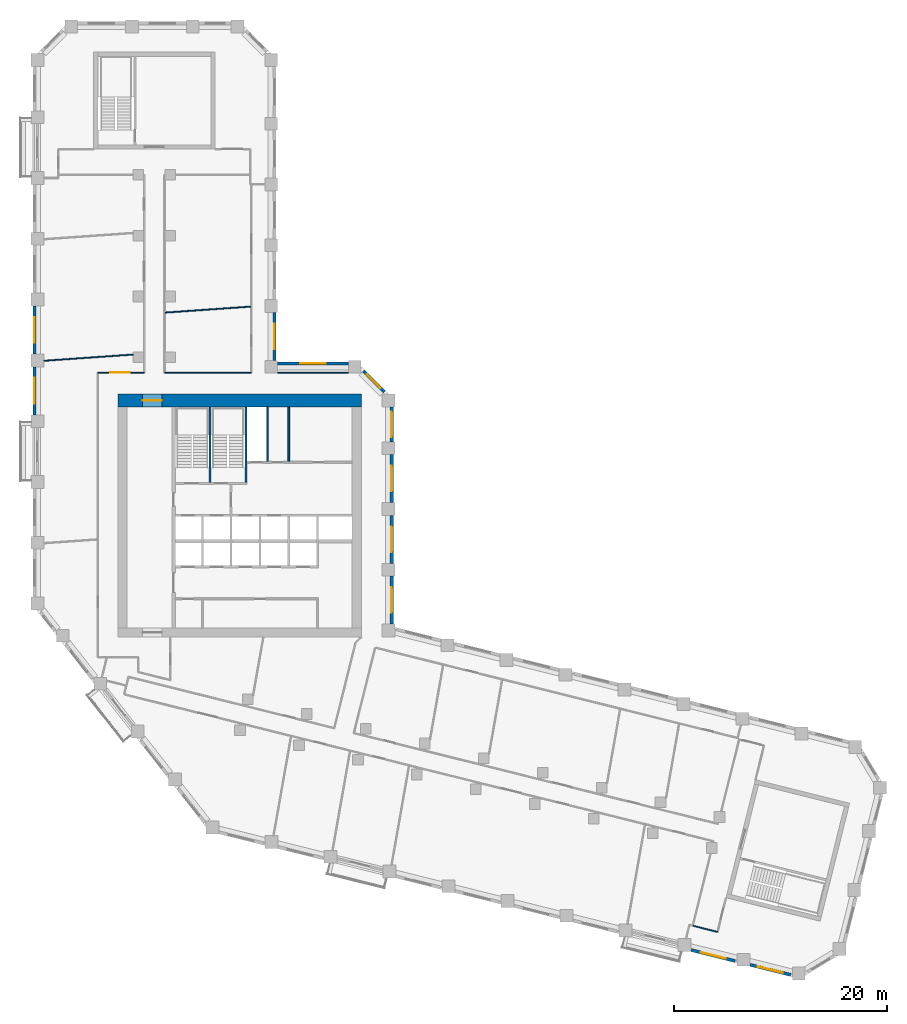
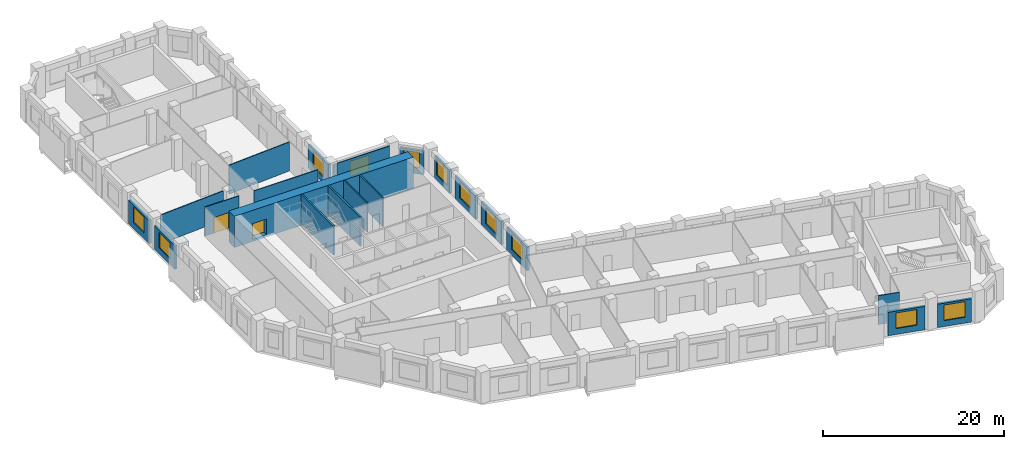
# One storey, part 6 of 10: 22 walls, 11 windows, 2 doors, 13 openings.
"""IFC4 building model written with IfcOpenShell, lengths in metres."""

from ifc_helpers import new_model, si_unit, direction, frame, frame_2d, origin, place, context, subcontext, project, spatial, rectangle, extrude, material, layer, layer_set, type_object, element, fill, save


model = new_model("IFC4")

# Units and contexts
model_context = context("Model", 3, precision=1e-05, world=origin(), true_north=direction((0.0, 1.0)))
body_context = subcontext(model_context, "Body", "Model", "MODEL_VIEW")
ifc_project = project(units=[si_unit("LENGTHUNIT", "METRE"), si_unit("AREAUNIT", "SQUARE_METRE"), si_unit("VOLUMEUNIT", "CUBIC_METRE"), si_unit("PLANEANGLEUNIT", "RADIAN"), si_unit("MASSUNIT", "GRAM", prefix="KILO")], contexts=[model_context])

# Site, building, storey
site_placement = place(None, origin())
site = spatial("IfcSite", under=ifc_project, at=site_placement, CompositionType="ELEMENT")
building_placement = place(site_placement, origin())
building = spatial("IfcBuilding", under=site, at=building_placement, Name="Meshkara Civic Tower", CompositionType="ELEMENT")
storey_placement = place(building_placement, frame((0.0, 0.0, 203.39990234375)))
storey = spatial("IfcBuildingStorey", under=building, at=storey_placement, Name="L46", CompositionType="ELEMENT", Elevation=203.39990234375)

# Walls
ifc_material_1 = material(Name="Blockwork", Category="masonry")
ifc_layer_1 = layer(ifc_material_1, 0.14990234375)
ifc_layer_set_1 = layer_set([ifc_layer_1], Name="Core partition 150")
wall_type_1 = type_object("IfcWallType", Name="Core partition 150", PredefinedType="PARTITIONING", material=ifc_layer_set_1)
for number, where, z_axis, x_axis, name in (
    (1, (22.0, 30.574951171875, 0.0), (0.0, 0.0, 1.0), (0.0, 1.0, 0.0), "L46-C018"),
    (2, (24.0, 30.574951171875, 0.0), (0.0, 0.0, 1.0), (0.0, 1.0, 0.0), "L46-C020"),
):
    element("IfcWall", number, at=place(storey_placement, frame(where, z_axis=z_axis, x_axis=x_axis)), inside=storey, type_object=wall_type_1, Name=name, PredefinedType="PARTITIONING", context=body_context, shape_type="SweptSolid", body=[
        extrude(rectangle(XDim=5.125, YDim=0.14990234375, at=frame_2d((2.5625, 0.0))), origin(), (0.0, 0.0, 1.0), 3.900146484375),
    ])

# Wall, opening, door
ifc_material_2 = material(Name="Concrete C70", Category="concrete")
ifc_layer_2 = layer(ifc_material_2, 1.199951171875)
ifc_layer_set_2 = layer_set([ifc_layer_2], Name="Core ring wall 1200 C70")
wall_type_2 = type_object("IfcWallType", Name="Core ring wall 1200 C70", PredefinedType="SHEAR", material=ifc_layer_set_2)
wall_1_placement = place(storey_placement, frame((8.0, 36.300048828125, -0.2998046875), z_axis=(0.0, 0.0, 1.0), x_axis=(1.0, 0.0, 0.0)))
wall_1 = element("IfcWall", 3, at=wall_1_placement, inside=storey, type_object=wall_type_2, Name="L46-C002", PredefinedType="SHEAR", context=body_context, shape_type="SweptSolid", body=[
    extrude(rectangle(XDim=22.800048828125, YDim=1.199951171875, at=frame_2d((11.39990234375, 0.0))), origin(), (0.0, 0.0, 1.0), 4.199951171875),
])
opening_1_placement = place(wall_1_placement, frame((2.300048828125, 0.0, 0.300048828125)))
opening_1 = element("IfcOpeningElement", 4, at=opening_1_placement, cuts=wall_1, Name="Opening L46-K020", PredefinedType="OPENING", context=body_context, shape_type="SweptSolid", body=[
    extrude(rectangle(XDim=1.800048828125, YDim=2.10009765625, at=frame_2d((0.89990234375, 1.050048828125))), frame((0.0, 0.60986328125, 0.0), z_axis=(0.0, -1.0, 0.0), x_axis=(1.0, 0.0, 0.0)), (0.0, 0.0, 1.0), 1.219970703125),
])
ifc_material_3 = material(Name="Fire-rated door leaf in steel frame", Category="steel")
door_type_1 = type_object("IfcDoorType", Name="Core double door 1800 EI 60", OperationType="DOUBLE_DOOR_SINGLE_SWING", PredefinedType="DOOR", material=ifc_material_3)
door_1_placement = place(opening_1_placement, origin())
door_1 = element("IfcDoor", 5, at=door_1_placement, inside=storey, type_object=door_type_1, Name="L46-K020", OperationType="DOUBLE_DOOR_SINGLE_SWING", OverallHeight=2.10009765625, OverallWidth=1.800048828125, PredefinedType="DOOR", context=body_context, shape_type="SweptSolid", body=[
    extrude(rectangle(XDim=1.800048828125, YDim=2.10009765625, at=frame_2d((0.89990234375, 1.050048828125))), frame((0.0, 0.02490234375, 0.0), z_axis=(0.0, -1.0, 0.0), x_axis=(1.0, 0.0, 0.0)), (0.0, 0.0, 1.0), 0.050048828125),
])
fill(opening_1, door_1)

ifc_material_4 = material(Name="Corridor wall 100")
ifc_layer_3 = layer(ifc_material_4, 0.10009765625)
ifc_layer_set_3 = layer_set([ifc_layer_3], Name="Corridor wall 100")
wall_type_3 = type_object("IfcWallType", Name="Corridor wall 100", PredefinedType="PARTITIONING", material=ifc_layer_set_3)
wall_2_placement = place(storey_placement, frame((10.449951171875, 38.89990234375, 0.0), z_axis=(0.0, 0.0, 1.0), x_axis=(-1.0, 0.0, 0.0)))
wall_2 = element("IfcWall", 6, at=wall_2_placement, inside=storey, type_object=wall_type_3, Name="L46-W011", PredefinedType="PARTITIONING", context=body_context, shape_type="SweptSolid", body=[
    extrude(rectangle(XDim=4.349853515625, YDim=0.10009765625, at=frame_2d((2.1748046875, 0.0))), origin(), (0.0, 0.0, 1.0), 3.900146484375),
])
opening_2_placement = place(wall_2_placement, frame((1.3798828125, 0.0, 0.0)))
opening_2 = element("IfcOpeningElement", 7, at=opening_2_placement, cuts=wall_2, Name="Opening L46-D017", PredefinedType="OPENING", context=body_context, shape_type="SweptSolid", body=[
    extrude(rectangle(XDim=1.800048828125, YDim=2.10009765625, at=frame_2d((0.89990234375, 1.050048828125))), frame((0.0, 0.06005859375, 0.0), z_axis=(0.0, -1.0, 0.0), x_axis=(1.0, 0.0, 0.0)), (0.0, 0.0, 1.0), 0.1201171875),
])
ifc_material_5 = material(Name="Door pair 1800 x 2100")
door_type_2 = type_object("IfcDoorType", Name="Door pair 1800 x 2100", OperationType="SINGLE_SWING_LEFT", PredefinedType="DOOR", material=ifc_material_5)
door_2_placement = place(opening_2_placement, origin())
door_2 = element("IfcDoor", 8, at=door_2_placement, inside=storey, type_object=door_type_2, Name="L46-D017", OperationType="DOUBLE_DOOR_SINGLE_SWING", OverallHeight=2.10009765625, OverallWidth=1.800048828125, PredefinedType="DOOR", context=body_context, shape_type="SweptSolid", body=[
    extrude(rectangle(XDim=1.800048828125, YDim=2.10009765625, at=frame_2d((0.89990234375, 1.050048828125))), frame((0.0, 0.02490234375, 0.0), z_axis=(0.0, -1.0, 0.0), x_axis=(1.0, 0.0, 0.0)), (0.0, 0.0, 1.0), 0.050048828125),
])
fill(opening_2, door_2)

# Walls
wall_3_placement = place(storey_placement, frame((20.5, 38.89990234375, 0.0), z_axis=(0.0, 0.0, 1.0), x_axis=(-1.0, 0.0, 0.0)))
element("IfcWall", 9, at=wall_3_placement, inside=storey, type_object=wall_type_3, Name="L46-W019", PredefinedType="PARTITIONING", context=body_context, shape_type="SweptSolid", body=[
    extrude(rectangle(XDim=8.14990234375, YDim=0.10009765625, at=frame_2d((4.074951171875, 0.0))), origin(), (0.0, 0.0, 1.0), 3.900146484375),
])
wall_4_placement = place(storey_placement, frame((29.593994140625, 38.89990234375, 0.0), z_axis=(0.0, 0.0, 1.0), x_axis=(-1.0, 0.0, 0.0)))
element("IfcWall", 10, at=wall_4_placement, inside=storey, type_object=wall_type_3, Name="L46-W021", PredefinedType="PARTITIONING", context=body_context, shape_type="SweptSolid", body=[
    extrude(rectangle(XDim=6.64404296875, YDim=0.10009765625, at=frame_2d((3.322021484375, 0.0))), origin(), (0.0, 0.0, 1.0), 3.900146484375),
])
wall_5_placement = place(storey_placement, frame((61.8740234375, -12.952880859375, 0.0), z_axis=(0.0, 0.0, 1.0), x_axis=(0.970256074659, -0.242080874063, 0.0)))
element("IfcWall", 11, at=wall_5_placement, inside=storey, type_object=wall_type_3, Name="L46-W027", PredefinedType="PARTITIONING", context=body_context, shape_type="SweptSolid", body=[
    extrude(rectangle(XDim=2.400146484375, YDim=0.10009765625, at=frame_2d((1.2001953125, 0.0))), origin(), (0.0, 0.0, 1.0), 3.900146484375),
])

# Wall, opening, window
ifc_material_6 = material(Name="Insulated infill panel with bronze anodised aluminium cladding", Category="aluminium")
ifc_layer_4 = layer(ifc_material_6, 0.300048828125)
ifc_layer_set_4 = layer_set([ifc_layer_4], Name="EXTERNAL INFILL WALL 300")
wall_type_4 = type_object("IfcWallType", Name="EXTERNAL INFILL WALL 300", PredefinedType="SOLIDWALL", material=ifc_layer_set_4)
wall_6_placement = place(storey_placement, frame((33.64990234375, 15.319091796875, 0.0), z_axis=(0.0, 0.0, 1.0), x_axis=(0.0, 1.0, 0.0)))
wall_6 = element("IfcWall", 12, at=wall_6_placement, inside=storey, type_object=wall_type_4, Name="External wall", PredefinedType="SOLIDWALL", context=body_context, shape_type="SweptSolid", body=[
    extrude(rectangle(XDim=4.5, YDim=0.300048828125, at=frame_2d((2.25, 0.0))), origin(), (0.0, 0.0, 1.0), 3.150146484375),
])
opening_3_placement = place(wall_6_placement, frame((1.050048828125, 0.0, 0.800048828125)))
opening_3 = element("IfcOpeningElement", 13, at=opening_3_placement, cuts=wall_6, Name="Opening W7", PredefinedType="OPENING", context=body_context, shape_type="SweptSolid", body=[
    extrude(rectangle(XDim=2.39990234375, YDim=2.10009765625, at=frame_2d((1.199951171875, 1.050048828125))), frame((0.0, 0.159912109375, 0.0), z_axis=(0.0, -1.0, 0.0), x_axis=(1.0, 0.0, 0.0)), (0.0, 0.0, 1.0), 0.320068359375),
])
ifc_material_7 = material(Name="Tinted double glazing", Category="glass")
window_type_1 = type_object("IfcWindowType", Name="WINDOW 2400x2100", PartitioningType="DOUBLE_PANEL_VERTICAL", PredefinedType="WINDOW", material=ifc_material_7)
window_1_placement = place(opening_3_placement, origin())
window_1 = element("IfcWindow", 14, at=window_1_placement, inside=storey, type_object=window_type_1, Name="Window", OverallHeight=2.10009765625, OverallWidth=2.39990234375, PartitioningType="DOUBLE_PANEL_VERTICAL", PredefinedType="WINDOW", context=body_context, shape_type="SweptSolid", body=[
    extrude(rectangle(XDim=2.39990234375, YDim=2.10009765625, at=frame_2d((1.199951171875, 1.050048828125))), frame((0.0, 0.030029296875, 0.0), z_axis=(0.0, -1.0, 0.0), x_axis=(1.0, 0.0, 0.0)), (0.0, 0.0, 1.0), 0.06005859375),
])
fill(opening_3, window_1)

wall_7_placement = place(storey_placement, frame((33.64990234375, 21.01904296875, 0.0), z_axis=(0.0, 0.0, 1.0), x_axis=(0.0, 1.0, 0.0)))
wall_7 = element("IfcWall", 15, at=wall_7_placement, inside=storey, type_object=wall_type_4, Name="External wall", PredefinedType="SOLIDWALL", context=body_context, shape_type="SweptSolid", body=[
    extrude(rectangle(XDim=4.5, YDim=0.300048828125, at=frame_2d((2.25, 0.0))), origin(), (0.0, 0.0, 1.0), 3.150146484375),
])
opening_4_placement = place(wall_7_placement, frame((1.050048828125, 0.0, 0.800048828125)))
opening_4 = element("IfcOpeningElement", 16, at=opening_4_placement, cuts=wall_7, Name="Opening W7", PredefinedType="OPENING", context=body_context, shape_type="SweptSolid", body=[
    extrude(rectangle(XDim=2.39990234375, YDim=2.10009765625, at=frame_2d((1.199951171875, 1.050048828125))), frame((0.0, 0.159912109375, 0.0), z_axis=(0.0, -1.0, 0.0), x_axis=(1.0, 0.0, 0.0)), (0.0, 0.0, 1.0), 0.320068359375),
])
window_2_placement = place(opening_4_placement, origin())
window_2 = element("IfcWindow", 17, at=window_2_placement, inside=storey, type_object=window_type_1, Name="Window", OverallHeight=2.10009765625, OverallWidth=2.39990234375, PartitioningType="DOUBLE_PANEL_VERTICAL", PredefinedType="WINDOW", context=body_context, shape_type="SweptSolid", body=[
    extrude(rectangle(XDim=2.39990234375, YDim=2.10009765625, at=frame_2d((1.199951171875, 1.050048828125))), frame((0.0, 0.030029296875, 0.0), z_axis=(0.0, -1.0, 0.0), x_axis=(1.0, 0.0, 0.0)), (0.0, 0.0, 1.0), 0.06005859375),
])
fill(opening_4, window_2)

wall_8_placement = place(storey_placement, frame((33.64990234375, 26.718994140625, 0.0), z_axis=(0.0, 0.0, 1.0), x_axis=(0.0, 1.0, 0.0)))
wall_8 = element("IfcWall", 18, at=wall_8_placement, inside=storey, type_object=wall_type_4, Name="External wall", PredefinedType="SOLIDWALL", context=body_context, shape_type="SweptSolid", body=[
    extrude(rectangle(XDim=4.5, YDim=0.300048828125, at=frame_2d((2.25, 0.0))), origin(), (0.0, 0.0, 1.0), 3.150146484375),
])
opening_5_placement = place(wall_8_placement, frame((1.050048828125, 0.0, 0.800048828125)))
opening_5 = element("IfcOpeningElement", 19, at=opening_5_placement, cuts=wall_8, Name="Opening W7", PredefinedType="OPENING", context=body_context, shape_type="SweptSolid", body=[
    extrude(rectangle(XDim=2.39990234375, YDim=2.10009765625, at=frame_2d((1.199951171875, 1.050048828125))), frame((0.0, 0.159912109375, 0.0), z_axis=(0.0, -1.0, 0.0), x_axis=(1.0, 0.0, 0.0)), (0.0, 0.0, 1.0), 0.320068359375),
])
window_3_placement = place(opening_5_placement, origin())
window_3 = element("IfcWindow", 20, at=window_3_placement, inside=storey, type_object=window_type_1, Name="Window", OverallHeight=2.10009765625, OverallWidth=2.39990234375, PartitioningType="DOUBLE_PANEL_VERTICAL", PredefinedType="WINDOW", context=body_context, shape_type="SweptSolid", body=[
    extrude(rectangle(XDim=2.39990234375, YDim=2.10009765625, at=frame_2d((1.199951171875, 1.050048828125))), frame((0.0, 0.030029296875, 0.0), z_axis=(0.0, -1.0, 0.0), x_axis=(1.0, 0.0, 0.0)), (0.0, 0.0, 1.0), 0.06005859375),
])
fill(opening_5, window_3)

wall_9_placement = place(storey_placement, frame((33.64990234375, 32.4189453125, 0.0), z_axis=(0.0, 0.0, 1.0), x_axis=(0.0, 1.0, 0.0)))
wall_9 = element("IfcWall", 21, at=wall_9_placement, inside=storey, type_object=wall_type_4, Name="External wall", PredefinedType="SOLIDWALL", context=body_context, shape_type="SweptSolid", body=[
    extrude(rectangle(XDim=3.275146484375, YDim=0.300048828125, at=frame_2d((1.6376953125, 0.0))), origin(), (0.0, 0.0, 1.0), 3.150146484375),
])
opening_6_placement = place(wall_9_placement, frame((0.43798828125, 0.0, 0.800048828125)))
opening_6 = element("IfcOpeningElement", 22, at=opening_6_placement, cuts=wall_9, Name="Opening W7", PredefinedType="OPENING", context=body_context, shape_type="SweptSolid", body=[
    extrude(rectangle(XDim=2.39990234375, YDim=2.10009765625, at=frame_2d((1.199951171875, 1.050048828125))), frame((0.0, 0.159912109375, 0.0), z_axis=(0.0, -1.0, 0.0), x_axis=(1.0, 0.0, 0.0)), (0.0, 0.0, 1.0), 0.320068359375),
])
window_4_placement = place(opening_6_placement, origin())
window_4 = element("IfcWindow", 23, at=window_4_placement, inside=storey, type_object=window_type_1, Name="Window", OverallHeight=2.10009765625, OverallWidth=2.39990234375, PartitioningType="DOUBLE_PANEL_VERTICAL", PredefinedType="WINDOW", context=body_context, shape_type="SweptSolid", body=[
    extrude(rectangle(XDim=2.39990234375, YDim=2.10009765625, at=frame_2d((1.199951171875, 1.050048828125))), frame((0.0, 0.030029296875, 0.0), z_axis=(0.0, -1.0, 0.0), x_axis=(1.0, 0.0, 0.0)), (0.0, 0.0, 1.0), 0.06005859375),
])
fill(opening_6, window_4)

wall_10_placement = place(storey_placement, frame((32.9619140625, 37.10595703125, 0.0), z_axis=(0.0, 0.0, 1.0), x_axis=(-0.707062649074, 0.707150910545, 0.0)))
wall_10 = element("IfcWall", 24, at=wall_10_placement, inside=storey, type_object=wall_type_4, Name="External wall", PredefinedType="SOLIDWALL", context=body_context, shape_type="SweptSolid", body=[
    extrude(rectangle(XDim=2.76611328125, YDim=0.300048828125, at=frame_2d((1.383056640625, 0.0))), origin(), (0.0, 0.0, 1.0), 3.150146484375),
])
opening_7_placement = place(wall_10_placement, frame((0.48291015625, 0.0, 0.800048828125)))
opening_7 = element("IfcOpeningElement", 25, at=opening_7_placement, cuts=wall_10, Name="Opening W9", PredefinedType="OPENING", context=body_context, shape_type="SweptSolid", body=[
    extrude(rectangle(XDim=1.800048828125, YDim=2.10009765625, at=frame_2d((0.89990234375, 1.050048828125))), frame((0.0, 0.159912109375, 0.0), z_axis=(0.0, -1.0, 0.0), x_axis=(1.0, 0.0, 0.0)), (0.0, 0.0, 1.0), 0.320068359375),
])
ifc_material_8 = material(Name="Tinted double glazing", Category="glass")
window_type_2 = type_object("IfcWindowType", Name="WINDOW 1800x2100", PartitioningType="DOUBLE_PANEL_VERTICAL", PredefinedType="WINDOW", material=ifc_material_8)
window_5_placement = place(opening_7_placement, origin())
window_5 = element("IfcWindow", 26, at=window_5_placement, inside=storey, type_object=window_type_2, Name="Window", OverallHeight=2.10009765625, OverallWidth=1.800048828125, PartitioningType="DOUBLE_PANEL_VERTICAL", PredefinedType="WINDOW", context=body_context, shape_type="SweptSolid", body=[
    extrude(rectangle(XDim=1.800048828125, YDim=2.10009765625, at=frame_2d((0.89990234375, 1.050048828125))), frame((0.0, 0.030029296875, 0.0), z_axis=(0.0, -1.0, 0.0), x_axis=(1.0, 0.0, 0.0)), (0.0, 0.0, 1.0), 0.06005859375),
])
fill(opening_7, window_5)

wall_11_placement = place(storey_placement, frame((29.593994140625, 39.75, 0.0), z_axis=(0.0, 0.0, 1.0), x_axis=(-1.0, 0.0, 0.0)))
wall_11 = element("IfcWall", 27, at=wall_11_placement, inside=storey, type_object=wall_type_4, Name="External wall", PredefinedType="SOLIDWALL", context=body_context, shape_type="SweptSolid", body=[
    extrude(rectangle(XDim=6.64404296875, YDim=0.300048828125, at=frame_2d((3.322021484375, 0.0))), origin(), (0.0, 0.0, 1.0), 3.150146484375),
])
opening_8_placement = place(wall_11_placement, frame((2.1220703125, 0.0, 0.800048828125)))
opening_8 = element("IfcOpeningElement", 28, at=opening_8_placement, cuts=wall_11, Name="Opening W7", PredefinedType="OPENING", context=body_context, shape_type="SweptSolid", body=[
    extrude(rectangle(XDim=2.39990234375, YDim=2.10009765625, at=frame_2d((1.199951171875, 1.050048828125))), frame((0.0, 0.159912109375, 0.0), z_axis=(0.0, -1.0, 0.0), x_axis=(1.0, 0.0, 0.0)), (0.0, 0.0, 1.0), 0.320068359375),
])
window_6_placement = place(opening_8_placement, origin())
window_6 = element("IfcWindow", 29, at=window_6_placement, inside=storey, type_object=window_type_1, Name="Window", OverallHeight=2.10009765625, OverallWidth=2.39990234375, PartitioningType="DOUBLE_PANEL_VERTICAL", PredefinedType="WINDOW", context=body_context, shape_type="SweptSolid", body=[
    extrude(rectangle(XDim=2.39990234375, YDim=2.10009765625, at=frame_2d((1.199951171875, 1.050048828125))), frame((0.0, 0.030029296875, 0.0), z_axis=(0.0, -1.0, 0.0), x_axis=(1.0, 0.0, 0.0)), (0.0, 0.0, 1.0), 0.06005859375),
])
fill(opening_8, window_6)

wall_12_placement = place(storey_placement, frame((22.64990234375, 40.050048828125, 0.0), z_axis=(0.0, 0.0, 1.0), x_axis=(0.0, 1.0, 0.0)))
wall_12 = element("IfcWall", 30, at=wall_12_placement, inside=storey, type_object=wall_type_4, Name="External wall", PredefinedType="SOLIDWALL", context=body_context, shape_type="SweptSolid", body=[
    extrude(rectangle(XDim=4.5, YDim=0.300048828125, at=frame_2d((2.25, 0.0))), origin(), (0.0, 0.0, 1.0), 3.150146484375),
])
opening_9_placement = place(wall_12_placement, frame((1.050048828125, 0.0, 0.800048828125)))
opening_9 = element("IfcOpeningElement", 31, at=opening_9_placement, cuts=wall_12, Name="Opening W7", PredefinedType="OPENING", context=body_context, shape_type="SweptSolid", body=[
    extrude(rectangle(XDim=2.39990234375, YDim=2.10009765625, at=frame_2d((1.199951171875, 1.050048828125))), frame((0.0, 0.159912109375, 0.0), z_axis=(0.0, -1.0, 0.0), x_axis=(1.0, 0.0, 0.0)), (0.0, 0.0, 1.0), 0.320068359375),
])
window_7_placement = place(opening_9_placement, origin())
window_7 = element("IfcWindow", 32, at=window_7_placement, inside=storey, type_object=window_type_1, Name="Window", OverallHeight=2.10009765625, OverallWidth=2.39990234375, PartitioningType="DOUBLE_PANEL_VERTICAL", PredefinedType="WINDOW", context=body_context, shape_type="SweptSolid", body=[
    extrude(rectangle(XDim=2.39990234375, YDim=2.10009765625, at=frame_2d((1.199951171875, 1.050048828125))), frame((0.0, 0.030029296875, 0.0), z_axis=(0.0, -1.0, 0.0), x_axis=(1.0, 0.0, 0.0)), (0.0, 0.0, 1.0), 0.06005859375),
])
fill(opening_9, window_7)

wall_13_placement = place(storey_placement, frame((0.14990234375, 45.155029296875, 0.0), z_axis=(0.0, 0.0, 1.0), x_axis=(0.0, -1.0, 0.0)))
wall_13 = element("IfcWall", 33, at=wall_13_placement, inside=storey, type_object=wall_type_4, Name="External wall", PredefinedType="SOLIDWALL", context=body_context, shape_type="SweptSolid", body=[
    extrude(rectangle(XDim=4.5, YDim=0.300048828125, at=frame_2d((2.25, 0.0))), origin(), (0.0, 0.0, 1.0), 3.150146484375),
])
opening_10_placement = place(wall_13_placement, frame((1.050048828125, 0.0, 0.800048828125)))
opening_10 = element("IfcOpeningElement", 34, at=opening_10_placement, cuts=wall_13, Name="Opening W7", PredefinedType="OPENING", context=body_context, shape_type="SweptSolid", body=[
    extrude(rectangle(XDim=2.39990234375, YDim=2.10009765625, at=frame_2d((1.199951171875, 1.050048828125))), frame((0.0, 0.159912109375, 0.0), z_axis=(0.0, -1.0, 0.0), x_axis=(1.0, 0.0, 0.0)), (0.0, 0.0, 1.0), 0.320068359375),
])
window_8_placement = place(opening_10_placement, origin())
window_8 = element("IfcWindow", 35, at=window_8_placement, inside=storey, type_object=window_type_1, Name="Window", OverallHeight=2.10009765625, OverallWidth=2.39990234375, PartitioningType="DOUBLE_PANEL_VERTICAL", PredefinedType="WINDOW", context=body_context, shape_type="SweptSolid", body=[
    extrude(rectangle(XDim=2.39990234375, YDim=2.10009765625, at=frame_2d((1.199951171875, 1.050048828125))), frame((0.0, 0.030029296875, 0.0), z_axis=(0.0, -1.0, 0.0), x_axis=(1.0, 0.0, 0.0)), (0.0, 0.0, 1.0), 0.06005859375),
])
fill(opening_10, window_8)

wall_14_placement = place(storey_placement, frame((0.14990234375, 39.455078125, 0.0), z_axis=(0.0, 0.0, 1.0), x_axis=(0.0, -1.0, 0.0)))
wall_14 = element("IfcWall", 36, at=wall_14_placement, inside=storey, type_object=wall_type_4, Name="External wall", PredefinedType="SOLIDWALL", context=body_context, shape_type="SweptSolid", body=[
    extrude(rectangle(XDim=4.5, YDim=0.300048828125, at=frame_2d((2.25, 0.0))), origin(), (0.0, 0.0, 1.0), 3.150146484375),
])
opening_11_placement = place(wall_14_placement, frame((1.050048828125, 0.0, 0.800048828125)))
opening_11 = element("IfcOpeningElement", 37, at=opening_11_placement, cuts=wall_14, Name="Opening W7", PredefinedType="OPENING", context=body_context, shape_type="SweptSolid", body=[
    extrude(rectangle(XDim=2.39990234375, YDim=2.10009765625, at=frame_2d((1.199951171875, 1.050048828125))), frame((0.0, 0.159912109375, 0.0), z_axis=(0.0, -1.0, 0.0), x_axis=(1.0, 0.0, 0.0)), (0.0, 0.0, 1.0), 0.320068359375),
])
window_9_placement = place(opening_11_placement, origin())
window_9 = element("IfcWindow", 38, at=window_9_placement, inside=storey, type_object=window_type_1, Name="Window", OverallHeight=2.10009765625, OverallWidth=2.39990234375, PartitioningType="DOUBLE_PANEL_VERTICAL", PredefinedType="WINDOW", context=body_context, shape_type="SweptSolid", body=[
    extrude(rectangle(XDim=2.39990234375, YDim=2.10009765625, at=frame_2d((1.199951171875, 1.050048828125))), frame((0.0, 0.030029296875, 0.0), z_axis=(0.0, -1.0, 0.0), x_axis=(1.0, 0.0, 0.0)), (0.0, 0.0, 1.0), 0.06005859375),
])
fill(opening_11, window_9)

wall_15_placement = place(storey_placement, frame((61.72998046875, -15.236083984375, 0.0), z_axis=(0.0, 0.0, 1.0), x_axis=(0.970304663212, -0.241886048688, 0.0)))
wall_15 = element("IfcWall", 39, at=wall_15_placement, inside=storey, type_object=wall_type_4, Name="External wall", PredefinedType="SOLIDWALL", context=body_context, shape_type="SweptSolid", body=[
    extrude(rectangle(XDim=4.2451171875, YDim=0.300048828125, at=frame_2d((2.12255859375, 0.0))), origin(), (0.0, 0.0, 1.0), 3.150146484375),
])
opening_12_placement = place(wall_15_placement, frame((0.922119140625, 0.0, 0.800048828125)))
opening_12 = element("IfcOpeningElement", 40, at=opening_12_placement, cuts=wall_15, Name="Opening W7", PredefinedType="OPENING", context=body_context, shape_type="SweptSolid", body=[
    extrude(rectangle(XDim=2.39990234375, YDim=2.10009765625, at=frame_2d((1.199951171875, 1.050048828125))), frame((0.0, 0.159912109375, 0.0), z_axis=(0.0, -1.0, 0.0), x_axis=(1.0, 0.0, 0.0)), (0.0, 0.0, 1.0), 0.320068359375),
])
window_10_placement = place(opening_12_placement, origin())
window_10 = element("IfcWindow", 41, at=window_10_placement, inside=storey, type_object=window_type_1, Name="Window", OverallHeight=2.10009765625, OverallWidth=2.39990234375, PartitioningType="DOUBLE_PANEL_VERTICAL", PredefinedType="WINDOW", context=body_context, shape_type="SweptSolid", body=[
    extrude(rectangle(XDim=2.39990234375, YDim=2.10009765625, at=frame_2d((1.199951171875, 1.050048828125))), frame((0.0, 0.030029296875, 0.0), z_axis=(0.0, -1.0, 0.0), x_axis=(1.0, 0.0, 0.0)), (0.0, 0.0, 1.0), 0.06005859375),
])
fill(opening_12, window_10)

wall_16_placement = place(storey_placement, frame((67.260009765625, -16.614990234375, 0.0), z_axis=(0.0, 0.0, 1.0), x_axis=(0.97033344074, -0.241770580885, 0.0)))
wall_16 = element("IfcWall", 42, at=wall_16_placement, inside=storey, type_object=wall_type_4, Name="External wall", PredefinedType="SOLIDWALL", context=body_context, shape_type="SweptSolid", body=[
    extrude(rectangle(XDim=3.905029296875, YDim=0.300048828125, at=frame_2d((1.95263671875, 0.0))), origin(), (0.0, 0.0, 1.0), 3.150146484375),
])
opening_13_placement = place(wall_16_placement, frame((0.751953125, 0.0, 0.800048828125)))
opening_13 = element("IfcOpeningElement", 43, at=opening_13_placement, cuts=wall_16, Name="Opening W7", PredefinedType="OPENING", context=body_context, shape_type="SweptSolid", body=[
    extrude(rectangle(XDim=2.39990234375, YDim=2.10009765625, at=frame_2d((1.199951171875, 1.050048828125))), frame((0.0, 0.159912109375, 0.0), z_axis=(0.0, -1.0, 0.0), x_axis=(1.0, 0.0, 0.0)), (0.0, 0.0, 1.0), 0.320068359375),
])
window_11_placement = place(opening_13_placement, origin())
window_11 = element("IfcWindow", 44, at=window_11_placement, inside=storey, type_object=window_type_1, Name="Window", OverallHeight=2.10009765625, OverallWidth=2.39990234375, PartitioningType="DOUBLE_PANEL_VERTICAL", PredefinedType="WINDOW", context=body_context, shape_type="SweptSolid", body=[
    extrude(rectangle(XDim=2.39990234375, YDim=2.10009765625, at=frame_2d((1.199951171875, 1.050048828125))), frame((0.0, 0.030029296875, 0.0), z_axis=(0.0, -1.0, 0.0), x_axis=(1.0, 0.0, 0.0)), (0.0, 0.0, 1.0), 0.06005859375),
])
fill(opening_13, window_11)

# Walls
ifc_material_9 = material(Name="Partition 100")
ifc_layer_5 = layer(ifc_material_9, 0.10009765625)
ifc_layer_set_5 = layer_set([ifc_layer_5], Name="Partition 100")
wall_type_5 = type_object("IfcWallType", Name="Partition 100", PredefinedType="PARTITIONING", material=ifc_layer_set_5)
wall_17_placement = place(storey_placement, frame((9.39990234375, 40.60107421875, 0.0), z_axis=(0.0, 0.0, 1.0), x_axis=(-0.997555044264, -0.069885146225, 0.0)))
element("IfcWall", 45, at=wall_17_placement, inside=storey, type_object=wall_type_5, Name="L46-W039", PredefinedType="PARTITIONING", context=body_context, shape_type="SweptSolid", body=[
    extrude(rectangle(XDim=8.370361328125, YDim=0.10009765625, at=frame_2d((4.18505859375, 0.0))), origin(), (0.0, 0.0, 1.0), 3.900146484375),
])
wall_18_placement = place(storey_placement, frame((20.447021484375, 45.096923828125, 0.0), z_axis=(0.0, 0.0, 1.0), x_axis=(-0.997568153989, -0.069697762853, 0.0)))
element("IfcWall", 46, at=wall_18_placement, inside=storey, type_object=wall_type_5, Name="L46-W042", PredefinedType="PARTITIONING", context=body_context, shape_type="SweptSolid", body=[
    extrude(rectangle(XDim=8.0634765625, YDim=0.10009765625, at=frame_2d((4.03173828125, 0.0))), origin(), (0.0, 0.0, 1.0), 3.900146484375),
])
ifc_material_10 = material(Name="Concrete C40/50", Category="concrete")
ifc_layer_6 = layer(ifc_material_10, 0.199951171875)
ifc_layer_set_6 = layer_set([ifc_layer_6], Name="Stair enclosure wall 200 C40/50")
wall_type_6 = type_object("IfcWallType", Name="Stair enclosure wall 200 C40/50", PredefinedType="SOLIDWALL", material=ifc_layer_set_6)
for number, where, z_axis, x_axis, name in (
    (47, (16.60009765625, 28.60009765625, 0.0), (0.0, 0.0, 1.0), (0.0, 1.0, 0.0), "L46-C014"),
    (48, (20.0, 28.60009765625, 0.0), (0.0, 0.0, 1.0), (0.0, 1.0, 0.0), "L46-C016"),
):
    element("IfcWall", number, at=place(storey_placement, frame(where, z_axis=z_axis, x_axis=x_axis)), inside=storey, type_object=wall_type_6, Name=name, PredefinedType="SOLIDWALL", context=body_context, shape_type="SweptSolid", body=[
        extrude(rectangle(XDim=7.099853515625, YDim=0.199951171875, at=frame_2d((3.5498046875, 0.0))), origin(), (0.0, 0.0, 1.0), 3.900146484375),
    ])

save(model, "model.ifc")
